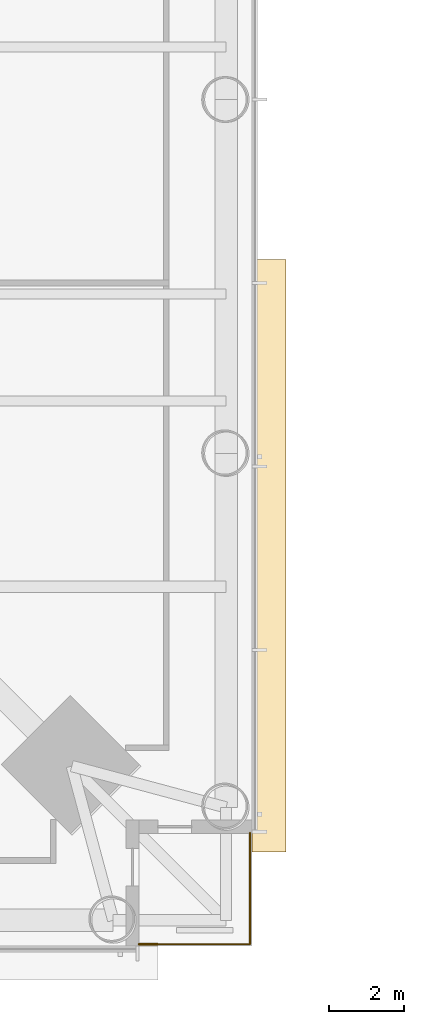
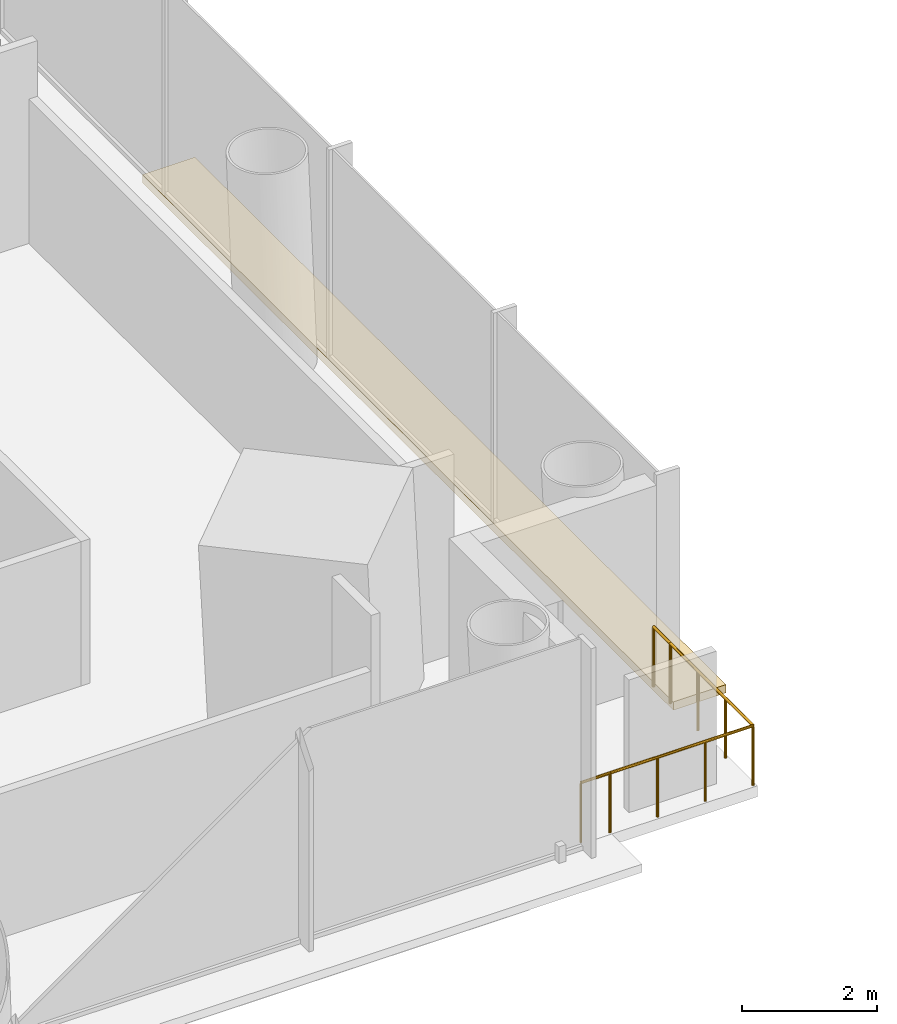
# One storey, part 24 of 27: 3 railings, 1 covering.
"""IFC4 building model written with IfcOpenShell, lengths in metres."""

from ifc_helpers import new_model, si_unit, direction, frame, origin, origin_2d, place, context, subcontext, project, spatial, polyline, circle, outline, extrude, material, layer, layer_set, type_object, element, save


model = new_model("IFC4")

# Units and contexts
model_context = context("Model", 3, precision=1e-05, world=origin(), true_north=direction((0.0, 1.0)))
body_context = subcontext(model_context, "Body", "Model", "MODEL_VIEW")
ifc_project = project(units=[si_unit("LENGTHUNIT", "METRE"), si_unit("AREAUNIT", "SQUARE_METRE"), si_unit("VOLUMEUNIT", "CUBIC_METRE"), si_unit("PLANEANGLEUNIT", "RADIAN"), si_unit("MASSUNIT", "GRAM", prefix="KILO")], contexts=[model_context])

# Site, building, storey
site_placement = place(None, origin())
site = spatial("IfcSite", under=ifc_project, at=site_placement, CompositionType="ELEMENT")
building_placement = place(site_placement, origin())
building = spatial("IfcBuilding", under=site, at=building_placement, Name="Ostroluk Exchange", CompositionType="ELEMENT")
storey_placement = place(building_placement, frame((0.0, 0.0, 89.39990234375)))
storey = spatial("IfcBuildingStorey", under=building, at=storey_placement, Name="L22", CompositionType="ELEMENT", Elevation=89.39990234375)

# Railings
ifc_material_1 = material(Name="Stainless steel", Category="steel")
railing_type_1 = type_object("IfcRailingType", Name="Guard 1100 stainless steel", PredefinedType="GUARDRAIL", material=ifc_material_1)
railing_1_placement = place(storey_placement, frame((65.0, 23.550048828125, 0.0)))
element("IfcRailing", 1, at=railing_1_placement, inside=storey, type_object=railing_type_1, Name="Office tower SE balcony guard L22", PredefinedType="GUARDRAIL", context=body_context, shape_type="SweptSolid", body=[
    extrude(circle(Radius=0.02392578125, at=origin_2d()), frame((0.0, 0.0, 1.076171875), z_axis=(1.0, 0.0, 0.0), x_axis=(0.0, 1.0, 0.0)), (0.0, 0.0, 1.0), 2.449951171875),
    extrude(circle(Radius=0.02392578125, at=origin_2d()), frame((2.449951171875, 0.0, 1.076171875), z_axis=(0.0, 1.0, 0.0), x_axis=(-1.0, 0.0, 0.0)), (0.0, 0.0, 1.0), 2.449951171875),
    extrude(circle(Radius=0.02099609375, at=origin_2d()), origin(), (0.0, 0.0, 1.0), 1.052001953125),
    extrude(circle(Radius=0.02099609375, at=origin_2d()), frame((0.816650390625, 0.0, 0.0)), (0.0, 0.0, 1.0), 1.052001953125),
    extrude(circle(Radius=0.02099609375, at=origin_2d()), frame((1.63330078125, 0.0, 0.0)), (0.0, 0.0, 1.0), 1.052001953125),
    extrude(circle(Radius=0.02099609375, at=origin_2d()), frame((2.449951171875, 0.0, 0.0)), (0.0, 0.0, 1.0), 1.052001953125),
    extrude(circle(Radius=0.02099609375, at=origin_2d()), frame((2.449951171875, 0.816650390625, 0.0)), (0.0, 0.0, 1.0), 1.052001953125),
    extrude(circle(Radius=0.02099609375, at=origin_2d()), frame((2.449951171875, 1.63330078125, 0.0)), (0.0, 0.0, 1.0), 1.052001953125),
    extrude(circle(Radius=0.02099609375, at=origin_2d()), frame((2.449951171875, 2.449951171875, 0.0)), (0.0, 0.0, 1.0), 1.052001953125),
])
ifc_material_2 = material(Name="Stainless steel", Category="steel")
railing_type_2 = type_object("IfcRailingType", Name="Lockable maintenance gate 1100", PredefinedType="GUARDRAIL", material=ifc_material_2)
railing_2_placement = place(storey_placement, frame((64.5, 23.550048828125, 0.0)))
element("IfcRailing", 2, at=railing_2_placement, inside=storey, type_object=railing_type_2, Name="Lockable maintenance gate T1 L22 SE", PredefinedType="GUARDRAIL", context=body_context, shape_type="SweptSolid", body=[
    extrude(circle(Radius=0.02392578125, at=origin_2d()), frame((0.0, 0.0, 1.076171875), z_axis=(1.0, 0.0, 0.0), x_axis=(0.0, 1.0, 0.0)), (0.0, 0.0, 1.0), 0.5),
    extrude(circle(Radius=0.02099609375, at=origin_2d()), origin(), (0.0, 0.0, 1.0), 1.052001953125),
    extrude(circle(Radius=0.02099609375, at=origin_2d()), frame((0.5, 0.0, 0.0)), (0.0, 0.0, 1.0), 1.052001953125),
])
railing_3_placement = place(storey_placement, frame((67.449951171875, 26.0, 0.0)))
element("IfcRailing", 3, at=railing_3_placement, inside=storey, type_object=railing_type_2, Name="Lockable maintenance gate T1 L22 SE", PredefinedType="GUARDRAIL", context=body_context, shape_type="SweptSolid", body=[
    extrude(circle(Radius=0.02392578125, at=origin_2d()), frame((0.0, 0.0, 1.076171875), z_axis=(0.0, 1.0, 0.0), x_axis=(-1.0, 0.0, 0.0)), (0.0, 0.0, 1.0), 0.5),
    extrude(circle(Radius=0.02099609375, at=origin_2d()), origin(), (0.0, 0.0, 1.0), 1.052001953125),
    extrude(circle(Radius=0.02099609375, at=origin_2d()), frame((0.0, 0.5, 0.0)), (0.0, 0.0, 1.0), 1.052001953125),
])

# Covering
ifc_material_3 = material(Name="Insulated steel roof deck with membrane, laid to falls, aluminium coping", Category="steel")
ifc_layer = layer(ifc_material_3, 0.14990234375)
ifc_layer_set = layer_set([ifc_layer], Name="Setback maintenance roof")
covering_type = type_object("IfcCoveringType", Name="Setback maintenance roof", PredefinedType="ROOFING", material=ifc_layer_set)
covering_placement = place(storey_placement, frame((0.0, 0.0, -0.14990234375)))
element("IfcCovering", 4, at=covering_placement, inside=storey, type_object=covering_type, Name="Maintenance roof, setback L22 east", PredefinedType="ROOFING", context=body_context, shape_type="SweptSolid", body=[
    extrude(outline(polyline([(67.5, 41.75), (68.39990234375, 41.75), (68.39990234375, 26.0), (67.5, 26.0), (67.5, 41.75)])), origin(), (0.0, 0.0, 1.0), 0.14990234375),
])

save(model, "model.ifc")
